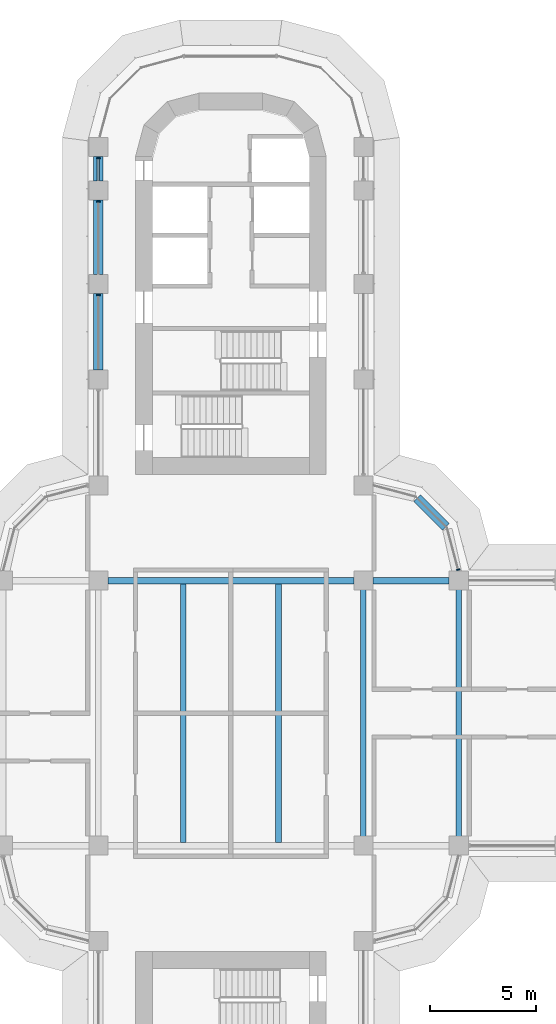
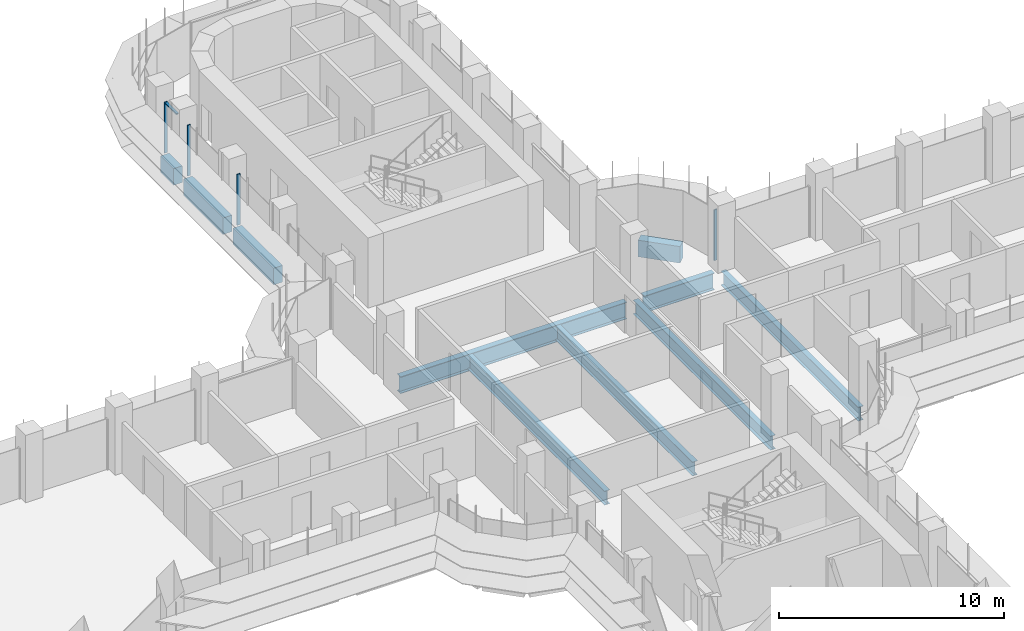
# One storey, part 7 of 22: 10 beams, 5 members, 2 elements without a shape of their own.
"""IFC4 building model written with IfcOpenShell, lengths in metres."""

from ifc_helpers import new_model, si_unit, direction, frame, origin, origin_2d, place, context, subcontext, project, spatial, polyline, rectangle, i_section, outline, extrude, source, transform, mapped, material, material_profile, profile_set, type_object, element, aggregate, save


model = new_model("IFC4")

# Units and contexts
model_context = context("Model", 3, precision=1e-05, world=origin(), true_north=direction((0.0, 1.0)))
body_context = subcontext(model_context, "Body", "Model", "MODEL_VIEW")
ifc_project = project(units=[si_unit("LENGTHUNIT", "METRE"), si_unit("AREAUNIT", "SQUARE_METRE"), si_unit("VOLUMEUNIT", "CUBIC_METRE"), si_unit("PLANEANGLEUNIT", "RADIAN"), si_unit("MASSUNIT", "GRAM", prefix="KILO")], contexts=[model_context])

# Site, building, storey
site_placement = place(None, origin())
site = spatial("IfcSite", under=ifc_project, at=site_placement, CompositionType="ELEMENT")
building_placement = place(site_placement, origin())
building = spatial("IfcBuilding", under=site, at=building_placement, Name="Zarbagh Exchange Tower", CompositionType="ELEMENT")
storey_placement = place(building_placement, frame((0.0, 0.0, 113.199951171875)))
storey = spatial("IfcBuildingStorey", under=building, at=storey_placement, Name="L26", CompositionType="ELEMENT", Elevation=113.199951171875)

# Beams
ifc_material_1 = material(Name="Steel ASTM A992 Gr 50", Category="steel")
ifc_material_profile_1 = material_profile(ifc_material_1, i_section(OverallWidth=0.2666015625, OverallDepth=0.7568359375, WebThickness=0.013916015625, FlangeThickness=0.019287109375, at=origin_2d()), Name="W30X108")
ifc_profile_set_1 = profile_set([ifc_material_profile_1], Name="Steel ASTM A992 Gr 50")
beam_type_1 = type_object("IfcBeamType", Name="Floor beam W30X108", PredefinedType="BEAM", material=ifc_profile_set_1)
for number, where, z_axis, x_axis, name in (
    (1, (-2.25, -6.09765625, -0.5283203125), (0.0, 1.0, 0.0), (-1.0, 0.0, 0.0), "Steel floor beam"),
    (2, (2.25, -6.09765625, -0.5283203125), (0.0, 1.0, 0.0), (-1.0, 0.0, 0.0), "Steel floor beam"),
    (3, (6.25, -6.09765625, -0.5283203125), (0.0, 1.0, 0.0), (-1.0, 0.0, 0.0), "Steel floor beam"),
    (4, (10.75, -6.09765625, -0.5283203125), (0.0, 1.0, 0.0), (-1.0, 0.0, 0.0), "Steel floor beam"),
):
    element("IfcBeam", number, at=place(storey_placement, frame(where, z_axis=z_axis, x_axis=x_axis)), inside=storey, type_object=beam_type_1, Name=name, PredefinedType="BEAM", context=body_context, shape_type="SweptSolid", body=[
        extrude(i_section(OverallWidth=0.2666015625, OverallDepth=0.7568359375, WebThickness=0.013916015625, FlangeThickness=0.019287109375, at=origin_2d()), origin(), (0.0, 0.0, 1.0), 12.1953125),
    ])
ifc_material_profile_2 = material_profile(ifc_material_1, i_section(OverallWidth=0.3046875, OverallDepth=0.911865234375, WebThickness=0.015869140625, FlangeThickness=0.02392578125, at=origin_2d()), Name="W36X150")
ifc_profile_set_2 = profile_set([ifc_material_profile_2], Name="Steel ASTM A992 Gr 50")
beam_type_2 = type_object("IfcBeamType", Name="Floor girder W36X150", PredefinedType="BEAM", material=ifc_profile_set_2)
beam_1_placement = place(storey_placement, frame((-5.800048828125, 6.25, -0.60595703125), z_axis=(1.0, 0.0, 0.0), x_axis=(0.0, 1.0, 0.0)))
element("IfcBeam", 5, at=beam_1_placement, inside=storey, type_object=beam_type_2, Name="Steel girder", PredefinedType="BEAM", context=body_context, shape_type="SweptSolid", body=[
    extrude(i_section(OverallWidth=0.3046875, OverallDepth=0.911865234375, WebThickness=0.015869140625, FlangeThickness=0.02392578125, at=origin_2d()), origin(), (0.0, 0.0, 1.0), 11.60009765625),
])
beam_2_placement = place(storey_placement, frame((6.699951171875, 6.25, -0.60595703125), z_axis=(1.0, 0.0, 0.0), x_axis=(0.0, 1.0, 0.0)))
element("IfcBeam", 6, at=beam_2_placement, inside=storey, type_object=beam_type_2, Name="Steel girder", PredefinedType="BEAM", context=body_context, shape_type="SweptSolid", body=[
    extrude(i_section(OverallWidth=0.3046875, OverallDepth=0.911865234375, WebThickness=0.015869140625, FlangeThickness=0.02392578125, at=origin_2d()), origin(), (0.0, 0.0, 1.0), 3.60009765625),
])
ifc_material_2 = material(Name="Concrete C60/75", Category="concrete")
ifc_material_profile_3 = material_profile(ifc_material_2, rectangle(XDim=0.449951171875, YDim=0.89990234375, at=origin_2d()), Name="RC spandrel beam 450 x 900 C60/75")
ifc_profile_set_3 = profile_set([ifc_material_profile_3], Name="Concrete C60/75")
beam_type_3 = type_object("IfcBeamType", Name="RC spandrel beam 450 x 900 C60/75", PredefinedType="SPANDREL", material=ifc_profile_set_3)
beam_3_placement = place(storey_placement, frame((-6.25, 16.199951171875, -0.599853515625), z_axis=(0.0, 1.0, 0.0), x_axis=(-1.0, 0.0, 0.0)))
element("IfcBeam", 7, at=beam_3_placement, inside=storey, type_object=beam_type_3, Name="RC spandrel beam", PredefinedType="SPANDREL", context=body_context, shape_type="SweptSolid", body=[
    extrude(rectangle(XDim=0.449951171875, YDim=0.89990234375, at=origin_2d()), origin(), (0.0, 0.0, 1.0), 3.60009765625),
])
beam_4_placement = place(storey_placement, frame((-6.25, 20.699951171875, -0.599853515625), z_axis=(0.0, 1.0, 0.0), x_axis=(-1.0, 0.0, 0.0)))
element("IfcBeam", 8, at=beam_4_placement, inside=storey, type_object=beam_type_3, Name="RC spandrel beam", PredefinedType="SPANDREL", context=body_context, shape_type="SweptSolid", body=[
    extrude(rectangle(XDim=0.449951171875, YDim=0.89990234375, at=origin_2d()), origin(), (0.0, 0.0, 1.0), 3.5),
])
beam_5_placement = place(storey_placement, frame((-6.25, 25.10009765625, -0.599853515625), z_axis=(0.0, 1.0, 0.0), x_axis=(-1.0, 0.0, 0.0)))
element("IfcBeam", 9, at=beam_5_placement, inside=storey, type_object=beam_type_3, Name="RC spandrel beam", PredefinedType="SPANDREL", context=body_context, shape_type="SweptSolid", body=[
    extrude(rectangle(XDim=0.449951171875, YDim=0.89990234375, at=origin_2d()), origin(), (0.0, 0.0, 1.0), 1.14990234375),
])
beam_6_placement = place(storey_placement, frame((8.78759765625, 10.15234375, -0.599853515625), z_axis=(0.707106781187, -0.707106781187, 0.0), x_axis=(0.707106781187, 0.707106781187, 0.0)))
element("IfcBeam", 10, at=beam_6_placement, inside=storey, type_object=beam_type_3, Name="RC spandrel beam", PredefinedType="SPANDREL", context=body_context, shape_type="SweptSolid", body=[
    extrude(rectangle(XDim=0.449951171875, YDim=0.89990234375, at=origin_2d()), origin(), (0.0, 0.0, 1.0), 1.929931640625),
])

# Curtain wall, member
ifc_material_3 = material(Name="Anodised aluminium frame and glazing", Category="aluminium")
curtain_wall_type = type_object("IfcCurtainWallType", Name="CWA Ribbon glazing, lower zones", PredefinedType="NOTDEFINED", material=ifc_material_3)
curtain_wall_1_placement = place(storey_placement, origin())
curtain_wall_1 = element("IfcCurtainWall", 11, at=curtain_wall_1_placement, inside=storey, type_object=curtain_wall_type, Name="CWA17 curtain wall", PredefinedType="NOTDEFINED")
ifc_material_4 = material(Name="Anodised aluminium frame", Category="aluminium")
member_type_1 = type_object("IfcMemberType", Name="MUA Mullion, anodised aluminium frame", PredefinedType="MULLION", material=ifc_material_4)
shared_shape_1 = source(origin(), body_context, "Body", "SweptSolid", [
    extrude(outline(polyline([(0.0, -0.080078125), (0.06005859375, -0.080078125), (0.06005859375, 0.080078125), (0.0, 0.080078125), (0.0, -0.080078125)])), origin(), (0.0, 0.0, 1.0), 2.75),
])
placement = place(storey_placement, origin())
member_1 = element("IfcMember", 12, at=placement, type_object=member_type_1, Name="CWA17 mullion 1.1", PredefinedType="MULLION", context=body_context, shape_type="MappedRepresentation", body=[
    mapped(shared_shape_1, transform((10.735107421875, 6.739990234375, 0.0), x_axis=(-0.258824779902, 0.965924289636, 0.0), y_axis=(-0.965924289636, -0.258824779902, 0.0), z_axis=(0.0, 0.0, 1.0))),
])
aggregate(curtain_wall_1, [member_1])

# Curtain wall, members
curtain_wall_2_placement = place(storey_placement, origin())
curtain_wall_2 = element("IfcCurtainWall", 13, at=curtain_wall_2_placement, inside=storey, type_object=curtain_wall_type, Name="CWA56 curtain wall", PredefinedType="NOTDEFINED")
member_2 = element("IfcMember", 14, at=placement, type_object=member_type_1, Name="CWA56 mullion 1.1", PredefinedType="MULLION", context=body_context, shape_type="MappedRepresentation", body=[
    mapped(shared_shape_1, transform((-6.25, 26.2099609375, 0.0), x_axis=(0.0, -1.0, 0.0), y_axis=(1.0, 0.0, 0.0), z_axis=(0.0, 0.0, 1.0))),
])
member_3 = element("IfcMember", 15, at=placement, type_object=member_type_1, Name="CWA56 mullion 2.1", PredefinedType="MULLION", context=body_context, shape_type="MappedRepresentation", body=[
    mapped(shared_shape_1, transform((-6.25, 24.159912109375, 0.0), x_axis=(0.0, -1.0, 0.0), y_axis=(1.0, 0.0, 0.0), z_axis=(0.0, 0.0, 1.0))),
])
member_4 = element("IfcMember", 16, at=placement, type_object=member_type_1, Name="CWA56 mullion 3.1", PredefinedType="MULLION", context=body_context, shape_type="MappedRepresentation", body=[
    mapped(shared_shape_1, transform((-6.25, 19.760009765625, 0.0), x_axis=(0.0, -1.0, 0.0), y_axis=(1.0, 0.0, 0.0), z_axis=(0.0, 0.0, 1.0))),
])
member_type_2 = type_object("IfcMemberType", Name="TRA Transom, anodised aluminium frame", PredefinedType="USERDEFINED", material=ifc_material_4)
shared_shape_2 = source(origin(), body_context, "Body", "SweptSolid", [
    extrude(outline(polyline([(-0.06005859375, -0.06005859375), (0.0, -0.06005859375), (0.0, 0.06005859375), (-0.06005859375, 0.06005859375), (-0.06005859375, -0.06005859375)])), origin(), (0.0, 0.0, 1.0), 1.010009765625),
])
member_5 = element("IfcMember", 17, at=placement, type_object=member_type_2, Name="CWA56 transom 1.1", ObjectType="TRANSOM", PredefinedType="USERDEFINED", context=body_context, shape_type="MappedRepresentation", body=[
    mapped(shared_shape_2, transform((-6.25, 26.14990234375, 2.75), x_axis=(0.0, 0.0, 1.0), y_axis=(-1.0, 0.0, 0.0), z_axis=(0.0, -1.0, 0.0))),
])
aggregate(curtain_wall_2, [member_2, member_5, member_3, member_4])

save(model, "model.ifc")
